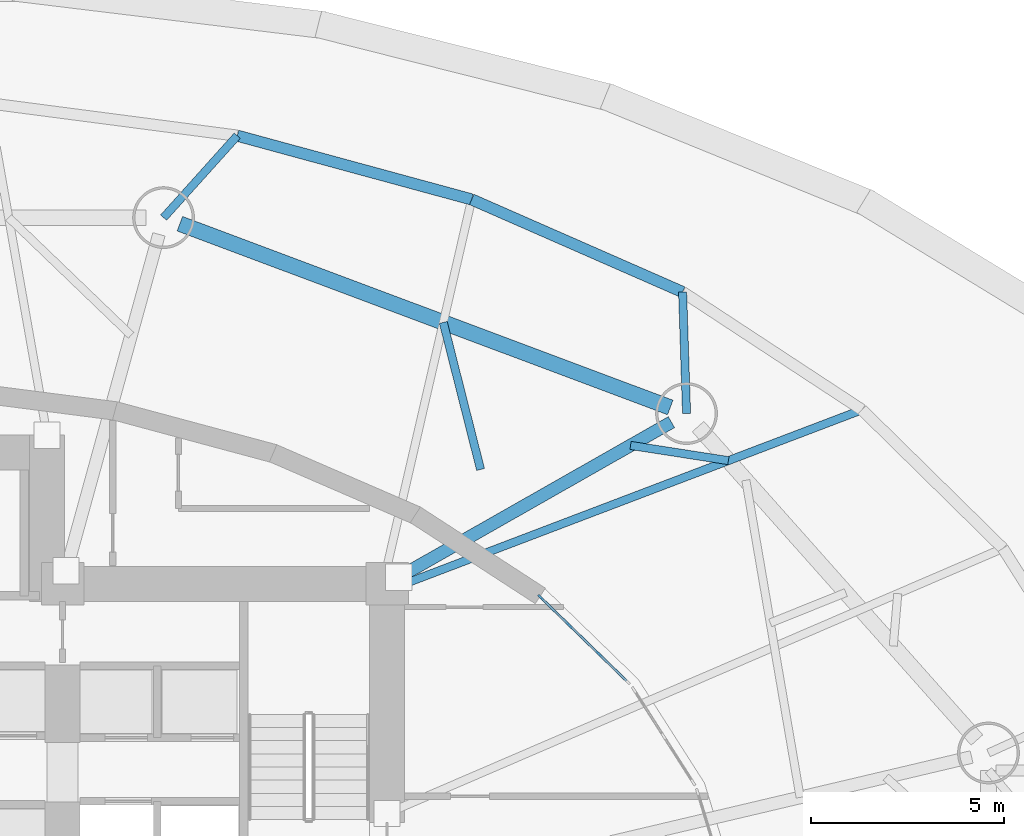
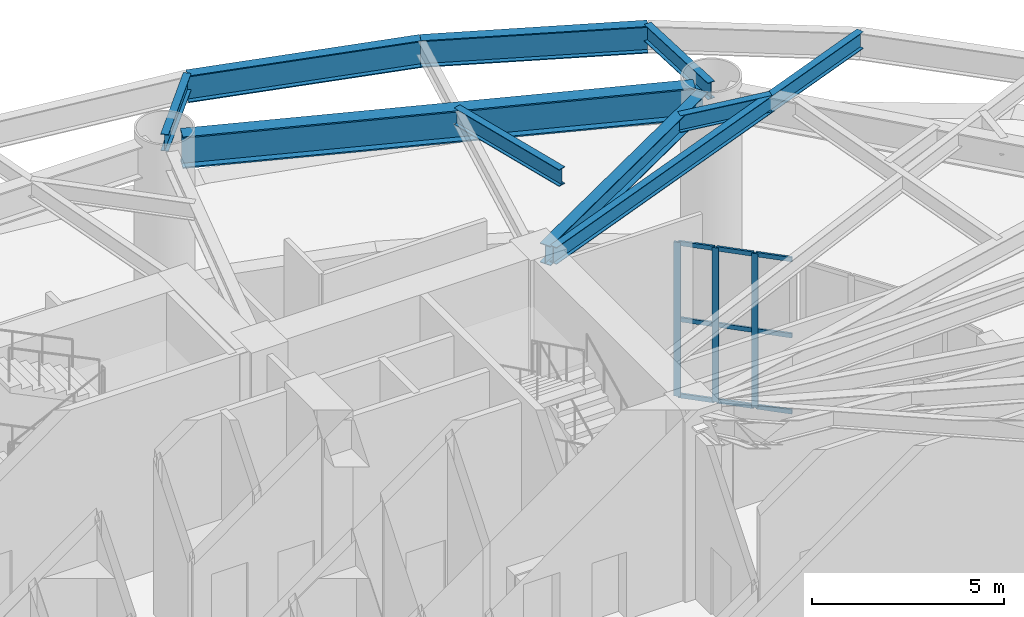
# One storey, part 9 of 21: 12 members, 9 beams, 1 element without a shape of its own.
"""IFC4 building model written with IfcOpenShell, lengths in metres."""

from ifc_helpers import new_model, si_unit, direction, frame, origin, origin_2d, place, context, subcontext, project, spatial, rectangle, i_section, extrude, material, layer, layer_set, material_profile, profile_set, type_object, element, aggregate, save


model = new_model("IFC4")

# Units and contexts
model_context = context("Model", 3, precision=1e-05, world=origin(), true_north=direction((0.0, 1.0)))
body_context = subcontext(model_context, "Body", "Model", "MODEL_VIEW")
ifc_project = project(units=[si_unit("LENGTHUNIT", "METRE"), si_unit("AREAUNIT", "SQUARE_METRE"), si_unit("VOLUMEUNIT", "CUBIC_METRE"), si_unit("PLANEANGLEUNIT", "RADIAN"), si_unit("MASSUNIT", "GRAM", prefix="KILO")], contexts=[model_context])

# Site, building, storey
site_placement = place(None, origin())
site = spatial("IfcSite", under=ifc_project, at=site_placement, CompositionType="ELEMENT")
building_placement = place(site_placement, origin())
building = spatial("IfcBuilding", under=site, at=building_placement, Name="Keldmark Tower", CompositionType="ELEMENT")
storey_placement = place(building_placement, origin())
storey = spatial("IfcBuildingStorey", under=building, at=storey_placement, Name="L00", CompositionType="ELEMENT", Elevation=0.0)

# Curtain wall, members
ifc_material_1 = material(Name="Unitized Thermally Broken Aluminum and Triple Low-E Glazing", Category="aluminium")
ifc_layer = layer(ifc_material_1, 0.219970703125)
ifc_layer_set = layer_set([ifc_layer], Name="Unitized Thermally Broken Aluminum and Triple Low-E Glazing")
curtain_wall_type = type_object("IfcCurtainWallType", Name="Skyway Entry Glazed Curtain Wall System", PredefinedType="NOTDEFINED", material=ifc_layer_set)
curtain_wall_placement = place(storey_placement, origin())
curtain_wall = element("IfcCurtainWall", 1, at=curtain_wall_placement, inside=storey, type_object=curtain_wall_type, Name="L00 Skyway Entry Glazed Curtain Wall System CW-L00-03", PredefinedType="NOTDEFINED")
ifc_material_2 = material(Name="Extruded Aluminum Alloy 6063-T6", Category="aluminium")
ifc_material_profile_1 = material_profile(ifc_material_2, rectangle(XDim=0.06005859375, YDim=0.139892578125, at=origin_2d()), Name="CWT60X140")
ifc_profile_set_1 = profile_set([ifc_material_profile_1], Name="Extruded Aluminum Alloy 6063-T6")
member_type_1 = type_object("IfcMemberType", Name="Curtain Wall Horizontal Transom 60x140", PredefinedType="USERDEFINED", material=ifc_profile_set_1)
member_1_placement = place(storey_placement, frame((19.797119140625, 6.944091796875, 0.030029296875), z_axis=(-0.71734402799, 0.696719129569, 0.0), x_axis=(-0.696719129569, -0.71734402799, 0.0)))
member_1 = element("IfcMember", 2, at=member_1_placement, type_object=member_type_1, Name="CW transom 1.1", ObjectType="TRANSOM", PredefinedType="USERDEFINED", context=body_context, shape_type="SweptSolid", body=[
    extrude(rectangle(XDim=0.06005859375, YDim=0.139892578125, at=origin_2d()), origin(), (0.0, 0.0, 1.0), 0.970703125),
])
member_2_placement = place(storey_placement, frame((19.797119140625, 6.944091796875, 2.45458984375), z_axis=(-0.71734402799, 0.696719129569, 0.0), x_axis=(-0.696719129569, -0.71734402799, 0.0)))
member_2 = element("IfcMember", 3, at=member_2_placement, type_object=member_type_1, Name="CW transom 1.2", ObjectType="TRANSOM", PredefinedType="USERDEFINED", context=body_context, shape_type="SweptSolid", body=[
    extrude(rectangle(XDim=0.06005859375, YDim=0.139892578125, at=origin_2d()), origin(), (0.0, 0.0, 1.0), 0.970703125),
])
member_3_placement = place(storey_placement, frame((19.797119140625, 6.944091796875, 4.87890625), z_axis=(-0.71734402799, 0.696719129569, 0.0), x_axis=(-0.696719129569, -0.71734402799, 0.0)))
member_3 = element("IfcMember", 4, at=member_3_placement, type_object=member_type_1, Name="CW transom 1.3", ObjectType="TRANSOM", PredefinedType="USERDEFINED", context=body_context, shape_type="SweptSolid", body=[
    extrude(rectangle(XDim=0.06005859375, YDim=0.139892578125, at=origin_2d()), origin(), (0.0, 0.0, 1.0), 0.970703125),
])
member_4_placement = place(storey_placement, frame((19.057861328125, 7.662109375, 0.030029296875), z_axis=(-0.717279380859, 0.696785684263, 0.0), x_axis=(-0.696785684263, -0.717279380859, 0.0)))
member_4 = element("IfcMember", 5, at=member_4_placement, type_object=member_type_1, Name="CW transom 2.1", ObjectType="TRANSOM", PredefinedType="USERDEFINED", context=body_context, shape_type="SweptSolid", body=[
    extrude(rectangle(XDim=0.06005859375, YDim=0.139892578125, at=origin_2d()), origin(), (0.0, 0.0, 1.0), 1.000732421875),
])
member_5_placement = place(storey_placement, frame((19.057861328125, 7.662109375, 2.45458984375), z_axis=(-0.717279380859, 0.696785684263, 0.0), x_axis=(-0.696785684263, -0.717279380859, 0.0)))
member_5 = element("IfcMember", 6, at=member_5_placement, type_object=member_type_1, Name="CW transom 2.2", ObjectType="TRANSOM", PredefinedType="USERDEFINED", context=body_context, shape_type="SweptSolid", body=[
    extrude(rectangle(XDim=0.06005859375, YDim=0.139892578125, at=origin_2d()), origin(), (0.0, 0.0, 1.0), 1.000732421875),
])
member_6_placement = place(storey_placement, frame((19.057861328125, 7.662109375, 4.87890625), z_axis=(-0.717279380859, 0.696785684263, 0.0), x_axis=(-0.696785684263, -0.717279380859, 0.0)))
member_6 = element("IfcMember", 7, at=member_6_placement, type_object=member_type_1, Name="CW transom 2.3", ObjectType="TRANSOM", PredefinedType="USERDEFINED", context=body_context, shape_type="SweptSolid", body=[
    extrude(rectangle(XDim=0.06005859375, YDim=0.139892578125, at=origin_2d()), origin(), (0.0, 0.0, 1.0), 1.000732421875),
])
member_7_placement = place(storey_placement, frame((18.297119140625, 8.401123046875, 0.030029296875), z_axis=(-0.71734402799, 0.696719129569, 0.0), x_axis=(-0.696719129569, -0.71734402799, 0.0)))
member_7 = element("IfcMember", 8, at=member_7_placement, type_object=member_type_1, Name="CW transom 3.1", ObjectType="TRANSOM", PredefinedType="USERDEFINED", context=body_context, shape_type="SweptSolid", body=[
    extrude(rectangle(XDim=0.06005859375, YDim=0.139892578125, at=origin_2d()), origin(), (0.0, 0.0, 1.0), 0.970703125),
])
member_8_placement = place(storey_placement, frame((18.297119140625, 8.401123046875, 2.45458984375), z_axis=(-0.71734402799, 0.696719129569, 0.0), x_axis=(-0.696719129569, -0.71734402799, 0.0)))
member_8 = element("IfcMember", 9, at=member_8_placement, type_object=member_type_1, Name="CW transom 3.2", ObjectType="TRANSOM", PredefinedType="USERDEFINED", context=body_context, shape_type="SweptSolid", body=[
    extrude(rectangle(XDim=0.06005859375, YDim=0.139892578125, at=origin_2d()), origin(), (0.0, 0.0, 1.0), 0.970703125),
])
member_9_placement = place(storey_placement, frame((18.297119140625, 8.401123046875, 4.87890625), z_axis=(-0.71734402799, 0.696719129569, 0.0), x_axis=(-0.696719129569, -0.71734402799, 0.0)))
member_9 = element("IfcMember", 10, at=member_9_placement, type_object=member_type_1, Name="CW transom 3.3", ObjectType="TRANSOM", PredefinedType="USERDEFINED", context=body_context, shape_type="SweptSolid", body=[
    extrude(rectangle(XDim=0.06005859375, YDim=0.139892578125, at=origin_2d()), origin(), (0.0, 0.0, 1.0), 0.970703125),
])
ifc_material_3 = material(Name="Extruded Aluminum Alloy 6063-T6", Category="aluminium")
ifc_material_profile_2 = material_profile(ifc_material_3, rectangle(XDim=0.06005859375, YDim=0.179931640625, at=origin_2d()), Name="CWM60X180")
ifc_profile_set_2 = profile_set([ifc_material_profile_2], Name="Extruded Aluminum Alloy 6063-T6")
member_type_2 = type_object("IfcMemberType", Name="Curtain Wall Structural Mullion 60x180", PredefinedType="MULLION", material=ifc_profile_set_2)
member_10_placement = place(storey_placement, frame((19.079345703125, 7.64111328125, 0.0), z_axis=(0.0, 0.0, 1.0), x_axis=(-0.696771363059, -0.717293292608, 0.0)))
member_10 = element("IfcMember", 11, at=member_10_placement, type_object=member_type_2, Name="CW mullion 2", PredefinedType="MULLION", context=body_context, shape_type="SweptSolid", body=[
    extrude(rectangle(XDim=0.06005859375, YDim=0.179931640625, at=origin_2d()), origin(), (0.0, 0.0, 1.0), 4.908935546875),
])
member_11_placement = place(storey_placement, frame((18.318603515625, 8.38037109375, 0.0), z_axis=(0.0, 0.0, 1.0), x_axis=(-0.696771363059, -0.717293292608, 0.0)))
member_11 = element("IfcMember", 12, at=member_11_placement, type_object=member_type_2, Name="CW mullion 3", PredefinedType="MULLION", context=body_context, shape_type="SweptSolid", body=[
    extrude(rectangle(XDim=0.06005859375, YDim=0.179931640625, at=origin_2d()), origin(), (0.0, 0.0, 1.0), 4.908935546875),
])
member_12_placement = place(storey_placement, frame((17.579345703125, 9.098388671875, 0.0), z_axis=(0.0, 0.0, 1.0), x_axis=(-0.696771363059, -0.717293292608, 0.0)))
member_12 = element("IfcMember", 13, at=member_12_placement, type_object=member_type_2, Name="CW mullion 4", PredefinedType="MULLION", context=body_context, shape_type="SweptSolid", body=[
    extrude(rectangle(XDim=0.06005859375, YDim=0.179931640625, at=origin_2d()), origin(), (0.0, 0.0, 1.0), 4.908935546875),
])
aggregate(curtain_wall, [member_10, member_11, member_12, member_1, member_2, member_3, member_4, member_5, member_6, member_7, member_8, member_9])

# Beams
ifc_material_4 = material(Name="Steel ASTM A992 Grade 50", Category="steel")
ifc_material_profile_3 = material_profile(ifc_material_4, i_section(OverallWidth=0.402099609375, OverallDepth=1.011962890625, WebThickness=0.023681640625, FlangeThickness=0.0419921875, at=origin_2d()), Name="W40X297")
ifc_profile_set_3 = profile_set([ifc_material_profile_3], Name="Steel ASTM A992 Grade 50")
beam_type_1 = type_object("IfcBeamType", Name="Podium Primary Girder W40X297", PredefinedType="BEAM", material=ifc_profile_set_3)
beam_1_placement = place(storey_placement, frame((20.93310546875, 14.01708984375, 5.27392578125), z_axis=(-0.936417954382, 0.350886612329, 0.0), x_axis=(-0.350886612329, -0.936417954382, 0.0)))
element("IfcBeam", 14, at=beam_1_placement, inside=storey, type_object=beam_type_1, Name="L00 Podium Ring Girder PG-R02", PredefinedType="BEAM", context=body_context, shape_type="SweptSolid", body=[
    extrude(i_section(OverallWidth=0.402099609375, OverallDepth=1.011962890625, WebThickness=0.023681640625, FlangeThickness=0.0419921875, at=origin_2d()), origin(), (0.0, 0.0, 1.0), 13.557373046875),
])
ifc_material_5 = material(Name="Steel ASTM A992 Grade 50", Category="steel")
ifc_material_profile_4 = material_profile(ifc_material_5, i_section(OverallWidth=0.2099609375, OverallDepth=0.537109375, WebThickness=0.010986328125, FlangeThickness=0.017333984375, at=origin_2d()), Name="W21X68")
ifc_profile_set_4 = profile_set([ifc_material_profile_4], Name="Steel ASTM A992 Grade 50")
beam_type_2 = type_object("IfcBeamType", Name="Radial Tie Girder W21X68", PredefinedType="BEAM", material=ifc_profile_set_4)
beam_2_placement = place(storey_placement, frame((19.904541015625, 13.034912109375, 5.511474609375), z_axis=(0.988136063904, -0.153580985843, 0.0), x_axis=(0.153580985843, 0.988136063904, 0.0)))
element("IfcBeam", 15, at=beam_2_placement, inside=storey, type_object=beam_type_2, Name="L00 Framing Pin Header PH-007", PredefinedType="BEAM", context=body_context, shape_type="SweptSolid", body=[
    extrude(i_section(OverallWidth=0.2099609375, OverallDepth=0.537109375, WebThickness=0.010986328125, FlangeThickness=0.017333984375, at=origin_2d()), origin(), (0.0, 0.0, 1.0), 2.564208984375),
])
beam_3_placement = place(storey_placement, frame((14.050048828125, 9.449951171875, 5.511474609375), z_axis=(0.934642662924, 0.355588375293, 0.0), x_axis=(-0.355588375293, 0.934642662924, 0.0)))
element("IfcBeam", 16, at=beam_3_placement, inside=storey, type_object=beam_type_2, Name="L00 Perimeter Radial Tie Girder RT-04", PredefinedType="BEAM", context=body_context, shape_type="SweptSolid", body=[
    extrude(i_section(OverallWidth=0.2099609375, OverallDepth=0.537109375, WebThickness=0.010986328125, FlangeThickness=0.017333984375, at=origin_2d()), origin(), (0.0, 0.0, 1.0), 12.67431640625),
])
beam_4_placement = place(storey_placement, frame((21.3544921875, 13.859375, 5.511474609375), z_axis=(-0.032491176768, 0.999472022336, 0.0), x_axis=(-0.999472022336, -0.032491176768, 0.0)))
element("IfcBeam", 17, at=beam_4_placement, inside=storey, type_object=beam_type_2, Name="L00 Perimeter Column Bracket RT-05", PredefinedType="BEAM", context=body_context, shape_type="SweptSolid", body=[
    extrude(i_section(OverallWidth=0.2099609375, OverallDepth=0.537109375, WebThickness=0.010986328125, FlangeThickness=0.017333984375, at=origin_2d()), origin(), (0.0, 0.0, 1.0), 3.1484375),
])
beam_5_placement = place(storey_placement, frame((16.02197265625, 12.41259765625, 5.511474609375), z_axis=(-0.245606779521, 0.969369542462, 0.0), x_axis=(-0.969369542462, -0.245606779521, 0.0)))
element("IfcBeam", 18, at=beam_5_placement, inside=storey, type_object=beam_type_2, Name="L00 Framing Pin Header PH-008", PredefinedType="BEAM", context=body_context, shape_type="SweptSolid", body=[
    extrude(i_section(OverallWidth=0.2099609375, OverallDepth=0.537109375, WebThickness=0.010986328125, FlangeThickness=0.017333984375, at=origin_2d()), origin(), (0.0, 0.0, 1.0), 3.926513671875),
])
beam_6_placement = place(storey_placement, frame((7.81640625, 18.93212890625, 5.511474609375), z_axis=(0.668898533975, 0.743353718795, 0.0), x_axis=(-0.743353718795, 0.668898533975, 0.0)))
element("IfcBeam", 19, at=beam_6_placement, inside=storey, type_object=beam_type_2, Name="L00 Perimeter Column Bracket RT-07", PredefinedType="BEAM", context=body_context, shape_type="SweptSolid", body=[
    extrude(i_section(OverallWidth=0.2099609375, OverallDepth=0.537109375, WebThickness=0.010986328125, FlangeThickness=0.017333984375, at=origin_2d()), origin(), (0.0, 0.0, 1.0), 2.852783203125),
])
ifc_material_6 = material(Name="Steel ASTM A992 Grade 50", Category="steel")
ifc_material_profile_5 = material_profile(ifc_material_6, i_section(OverallWidth=0.326904296875, OverallDepth=0.6220703125, WebThickness=0.015380859375, FlangeThickness=0.0244140625, at=origin_2d()), Name="W24X131")
ifc_profile_set_5 = profile_set([ifc_material_profile_5], Name="Steel ASTM A992 Grade 50")
beam_type_3 = type_object("IfcBeamType", Name="Spandrel Ring Beam W24X131", PredefinedType="SPANDREL", material=ifc_profile_set_5)
beam_7_placement = place(storey_placement, frame((20.96337890625, 13.636962890625, 5.468994140625), z_axis=(-0.869293918493, -0.494295542434, 0.0), x_axis=(0.494295542434, -0.869293918493, 0.0)))
element("IfcBeam", 20, at=beam_7_placement, inside=storey, type_object=beam_type_3, Name="L00 Podium Radial Girder PG-C02", PredefinedType="SPANDREL", context=body_context, shape_type="SweptSolid", body=[
    extrude(i_section(OverallWidth=0.326904296875, OverallDepth=0.6220703125, WebThickness=0.015380859375, FlangeThickness=0.0244140625, at=origin_2d()), origin(), (0.0, 0.0, 1.0), 8.120361328125),
])
ifc_material_7 = material(Name="Steel ASTM A992 Grade 50", Category="steel")
ifc_material_profile_6 = material_profile(ifc_material_7, i_section(OverallWidth=0.2919921875, OverallDepth=0.85888671875, WebThickness=0.01708984375, FlangeThickness=0.031005859375, at=origin_2d()), Name="W33X169")
ifc_profile_set_6 = profile_set([ifc_material_profile_6], Name="Steel ASTM A992 Grade 50")
beam_type_4 = type_object("IfcBeamType", Name="Spandrel Ring Beam W33X169", PredefinedType="SPANDREL", material=ifc_profile_set_6)
beam_8_placement = place(storey_placement, frame((21.252197265625, 17.006103515625, 5.3505859375), z_axis=(-0.91570760638, 0.401845218484, 0.0), x_axis=(-0.401845218484, -0.91570760638, 0.0)))
element("IfcBeam", 21, at=beam_8_placement, inside=storey, type_object=beam_type_4, Name="L00 Perimeter Spandrel Ring Beam SRB-05", PredefinedType="SPANDREL", context=body_context, shape_type="SweptSolid", body=[
    extrude(i_section(OverallWidth=0.2919921875, OverallDepth=0.85888671875, WebThickness=0.01708984375, FlangeThickness=0.031005859375, at=origin_2d()), origin(), (0.0, 0.0, 1.0), 5.963134765625),
])
beam_9_placement = place(storey_placement, frame((15.791748046875, 19.40234375, 5.3505859375), z_axis=(-0.964936550718, 0.262483243445, 0.0), x_axis=(-0.262483243445, -0.964936550718, 0.0)))
element("IfcBeam", 22, at=beam_9_placement, inside=storey, type_object=beam_type_4, Name="L00 Perimeter Spandrel Ring Beam SRB-06", PredefinedType="SPANDREL", context=body_context, shape_type="SweptSolid", body=[
    extrude(i_section(OverallWidth=0.2919921875, OverallDepth=0.85888671875, WebThickness=0.01708984375, FlangeThickness=0.031005859375, at=origin_2d()), origin(), (0.0, 0.0, 1.0), 6.28759765625),
])

save(model, "model.ifc")
